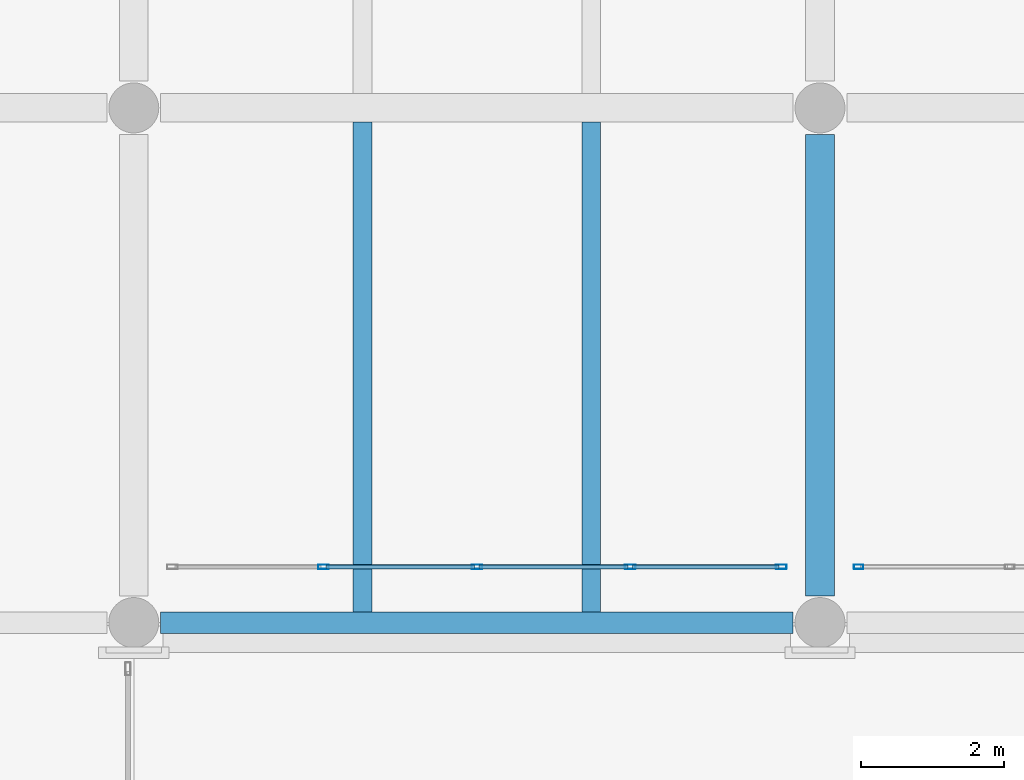
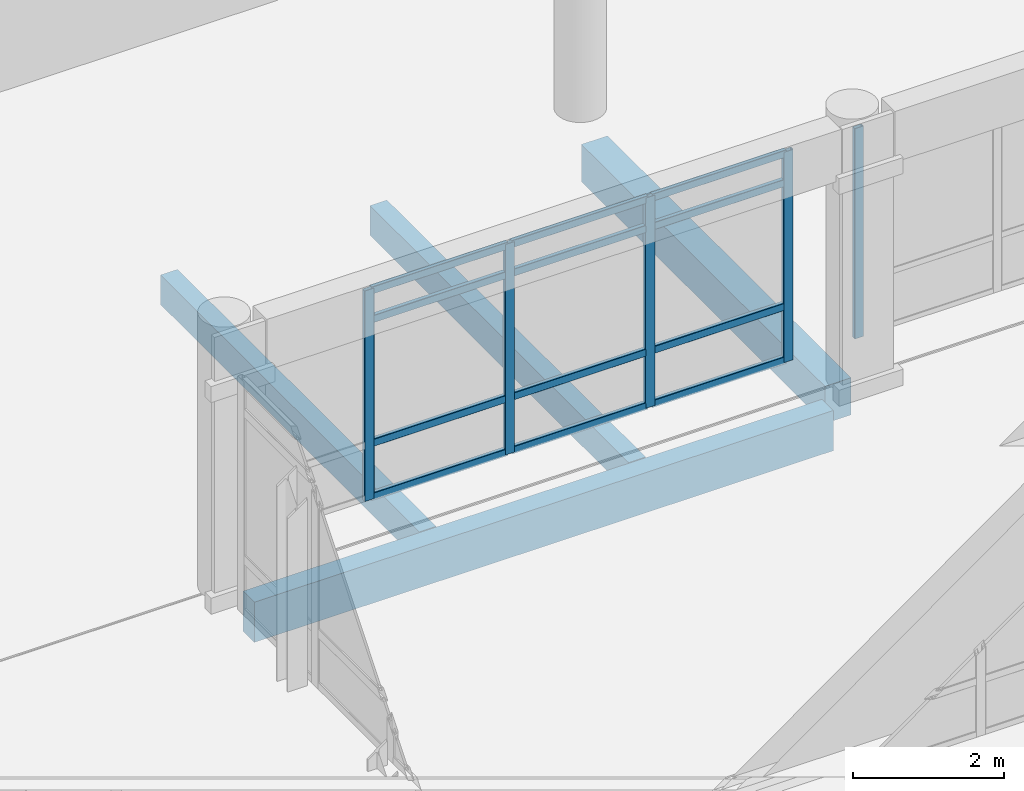
# One storey, part 57 of 196: 17 members, 4 beams, 2 elements without a shape of their own.
"""IFC4 building model written with IfcOpenShell, lengths in metres."""

from ifc_helpers import new_model, si_unit, direction, frame, origin, origin_2d, place, context, subcontext, project, spatial, rectangle, hollow_rectangle, extrude, material, layer, layer_set, material_profile, profile_set, type_object, element, aggregate, save


model = new_model("IFC4")

# Units and contexts
model_context = context("Model", 3, precision=1e-05, world=origin(), true_north=direction((0.0, 1.0)))
body_context = subcontext(model_context, "Body", "Model", "MODEL_VIEW")
ifc_project = project(units=[si_unit("LENGTHUNIT", "METRE"), si_unit("AREAUNIT", "SQUARE_METRE"), si_unit("VOLUMEUNIT", "CUBIC_METRE"), si_unit("PLANEANGLEUNIT", "RADIAN"), si_unit("MASSUNIT", "GRAM", prefix="KILO")], contexts=[model_context])

# Site, building, storey
site_placement = place(None, origin())
site = spatial("IfcSite", under=ifc_project, at=site_placement, CompositionType="ELEMENT")
building_placement = place(site_placement, origin())
building = spatial("IfcBuilding", under=site, at=building_placement, Name="Asteropetra Specialist Clinic", CompositionType="ELEMENT")
storey_placement = place(building_placement, origin())
storey = spatial("IfcBuildingStorey", under=building, at=storey_placement, Name="L00", CompositionType="ELEMENT", Elevation=0.0)

# Beam
ifc_material_1 = material(Name="Concrete C35/45", Category="concrete")
ifc_material_profile_1 = material_profile(ifc_material_1, rectangle(XDim=0.39990234375, YDim=0.60009765625, at=origin_2d()), Name="RCB 400x600")
ifc_profile_set_1 = profile_set([ifc_material_profile_1], Name="Concrete C35/45")
beam_type_1 = type_object("IfcBeamType", Name="BM-RC400x600", PredefinedType="BEAM", material=ifc_profile_set_1)
beam_1_placement = place(storey_placement, frame((38.39990234375, 33.97509765625, -0.60009765625), z_axis=(0.0, 1.0, 0.0), x_axis=(-1.0, 0.0, 0.0)))
element("IfcBeam", 1, at=beam_1_placement, inside=storey, type_object=beam_type_1, Name="Beam BBM08-0162", PredefinedType="BEAM", context=body_context, shape_type="SweptSolid", body=[
    extrude(rectangle(XDim=0.39990234375, YDim=0.60009765625, at=origin_2d()), origin(), (0.0, 0.0, 1.0), 6.449951171875),
])

# Curtain wall, member
ifc_material_2 = material(Name="Aluminium and low-E glass", Category="aluminium")
ifc_layer_1 = layer(ifc_material_2, 0.14990234375)
ifc_layer_set_1 = layer_set([ifc_layer_1], Name="Aluminium and low-E glass")
curtain_wall_type_1 = type_object("IfcCurtainWallType", Name="CW-SYS-11", PredefinedType="USERDEFINED", material=ifc_layer_set_1)
curtain_wall_1_placement = place(storey_placement, origin())
curtain_wall_1 = element("IfcCurtainWall", 2, at=curtain_wall_1_placement, inside=storey, type_object=curtain_wall_type_1, Name="Curtain Wall CW-149", ObjectType="STICK GLAZED COLONNADE", PredefinedType="USERDEFINED")
ifc_material_3 = material(Name="Aluminium 6063-T6", Category="aluminium")
ifc_material_profile_2 = material_profile(ifc_material_3, hollow_rectangle(XDim=0.06005859375, YDim=0.135009765625, WallThickness=0.00341796875, InnerFilletRadius=0.00341796875, OuterFilletRadius=0.007080078125, at=origin_2d()), Name="MUL 135x60x3.5")
ifc_profile_set_2 = profile_set([ifc_material_profile_2], Name="Aluminium 6063-T6")
member_type_1 = type_object("IfcMemberType", Name="CWM-135x60", PredefinedType="MULLION", material=ifc_profile_set_2)
member_1_placement = place(storey_placement, frame((38.93994140625, 34.3798828125, 0.0), z_axis=(0.0, 0.0, 1.0), x_axis=(0.0, 1.0, 0.0)))
member_1 = element("IfcMember", 3, at=member_1_placement, type_object=member_type_1, Name="CW-149 mullion 1", PredefinedType="MULLION", context=body_context, shape_type="SweptSolid", body=[
    extrude(hollow_rectangle(XDim=0.06005859375, YDim=0.135009765625, WallThickness=0.00341796875, InnerFilletRadius=0.00341796875, OuterFilletRadius=0.007080078125, at=origin_2d()), origin(), (0.0, 0.0, 1.0), 3.39990234375),
])
aggregate(curtain_wall_1, [member_1])

# Curtain wall, members
ifc_material_4 = material(Name="Aluminium and low-E glass", Category="aluminium")
ifc_layer_2 = layer(ifc_material_4, 0.135009765625)
ifc_layer_set_2 = layer_set([ifc_layer_2], Name="Aluminium and low-E glass")
curtain_wall_type_2 = type_object("IfcCurtainWallType", Name="CW-SYS-09", PredefinedType="USERDEFINED", material=ifc_layer_set_2)
curtain_wall_2_placement = place(storey_placement, origin())
curtain_wall_2 = element("IfcCurtainWall", 4, at=curtain_wall_2_placement, inside=storey, type_object=curtain_wall_type_2, Name="Curtain Wall CW-148", ObjectType="STICK GLAZED COLONNADE", PredefinedType="USERDEFINED")
ifc_material_5 = material(Name="Aluminium 6063-T6", Category="aluminium")
ifc_material_profile_3 = material_profile(ifc_material_5, hollow_rectangle(XDim=0.06494140625, YDim=0.14990234375, WallThickness=0.00390625, InnerFilletRadius=0.00390625, OuterFilletRadius=0.008056640625, at=origin_2d()), Name="MUL 150x65x4.0")
ifc_profile_set_3 = profile_set([ifc_material_profile_3], Name="Aluminium 6063-T6")
member_type_2 = type_object("IfcMemberType", Name="CWM-150x65", PredefinedType="MULLION", material=ifc_profile_set_3)
member_2_placement = place(storey_placement, frame((31.455078125, 34.3798828125, 0.0), z_axis=(0.0, 0.0, 1.0), x_axis=(0.0, 1.0, 0.0)))
member_2 = element("IfcMember", 5, at=member_2_placement, type_object=member_type_2, Name="CW-148 mullion 2", PredefinedType="MULLION", context=body_context, shape_type="SweptSolid", body=[
    extrude(hollow_rectangle(XDim=0.06494140625, YDim=0.14990234375, WallThickness=0.00390625, InnerFilletRadius=0.00390625, OuterFilletRadius=0.008056640625, at=origin_2d()), origin(), (0.0, 0.0, 1.0), 3.39990234375),
])
member_3_placement = place(storey_placement, frame((33.60009765625, 34.3798828125, 0.0), z_axis=(0.0, 0.0, 1.0), x_axis=(0.0, 1.0, 0.0)))
member_3 = element("IfcMember", 6, at=member_3_placement, type_object=member_type_2, Name="CW-148 mullion 3", PredefinedType="MULLION", context=body_context, shape_type="SweptSolid", body=[
    extrude(hollow_rectangle(XDim=0.06494140625, YDim=0.14990234375, WallThickness=0.00390625, InnerFilletRadius=0.00390625, OuterFilletRadius=0.008056640625, at=origin_2d()), origin(), (0.0, 0.0, 1.0), 3.39990234375),
])
member_4_placement = place(storey_placement, frame((35.7451171875, 34.3798828125, 0.0), z_axis=(0.0, 0.0, 1.0), x_axis=(0.0, 1.0, 0.0)))
member_4 = element("IfcMember", 7, at=member_4_placement, type_object=member_type_2, Name="CW-148 mullion 4", PredefinedType="MULLION", context=body_context, shape_type="SweptSolid", body=[
    extrude(hollow_rectangle(XDim=0.06494140625, YDim=0.14990234375, WallThickness=0.00390625, InnerFilletRadius=0.00390625, OuterFilletRadius=0.008056640625, at=origin_2d()), origin(), (0.0, 0.0, 1.0), 3.39990234375),
])
member_5_placement = place(storey_placement, frame((37.857421875, 34.3798828125, 0.0), z_axis=(0.0, 0.0, 1.0), x_axis=(0.0, 1.0, 0.0)))
member_5 = element("IfcMember", 8, at=member_5_placement, type_object=member_type_2, Name="CW-148 mullion 5", PredefinedType="MULLION", context=body_context, shape_type="SweptSolid", body=[
    extrude(hollow_rectangle(XDim=0.06494140625, YDim=0.14990234375, WallThickness=0.00390625, InnerFilletRadius=0.00390625, OuterFilletRadius=0.008056640625, at=origin_2d()), origin(), (0.0, 0.0, 1.0), 3.39990234375),
])
ifc_material_6 = material(Name="Aluminium 6063-T6", Category="aluminium")
ifc_material_profile_4 = material_profile(ifc_material_6, hollow_rectangle(XDim=0.06494140625, YDim=0.1201171875, WallThickness=0.00390625, InnerFilletRadius=0.00390625, OuterFilletRadius=0.008056640625, at=origin_2d()), Name="TRN 120x65x4.0")
ifc_profile_set_4 = profile_set([ifc_material_profile_4], Name="Aluminium 6063-T6")
member_type_3 = type_object("IfcMemberType", Name="CWT-120x65", PredefinedType="USERDEFINED", material=ifc_profile_set_4)
member_6_placement = place(storey_placement, frame((31.487548828125, 34.3798828125, 0.032470703125), z_axis=(1.0, 0.0, 0.0), x_axis=(0.0, 1.0, 0.0)))
member_6 = element("IfcMember", 9, at=member_6_placement, type_object=member_type_3, Name="CW-148 transom 2.1", ObjectType="TRANSOM", PredefinedType="USERDEFINED", context=body_context, shape_type="SweptSolid", body=[
    extrude(hollow_rectangle(XDim=0.06494140625, YDim=0.1201171875, WallThickness=0.00390625, InnerFilletRadius=0.00390625, OuterFilletRadius=0.008056640625, at=origin_2d()), origin(), (0.0, 0.0, 1.0), 2.079833984375),
])
member_7_placement = place(storey_placement, frame((31.487548828125, 34.3798828125, 0.89990234375), z_axis=(1.0, 0.0, 0.0), x_axis=(0.0, 1.0, 0.0)))
member_7 = element("IfcMember", 10, at=member_7_placement, type_object=member_type_3, Name="CW-148 transom 2.2", ObjectType="TRANSOM", PredefinedType="USERDEFINED", context=body_context, shape_type="SweptSolid", body=[
    extrude(hollow_rectangle(XDim=0.06494140625, YDim=0.1201171875, WallThickness=0.00390625, InnerFilletRadius=0.00390625, OuterFilletRadius=0.008056640625, at=origin_2d()), origin(), (0.0, 0.0, 1.0), 2.079833984375),
])
member_8_placement = place(storey_placement, frame((31.487548828125, 34.3798828125, 2.89990234375), z_axis=(1.0, 0.0, 0.0), x_axis=(0.0, 1.0, 0.0)))
member_8 = element("IfcMember", 11, at=member_8_placement, type_object=member_type_3, Name="CW-148 transom 2.3", ObjectType="TRANSOM", PredefinedType="USERDEFINED", context=body_context, shape_type="SweptSolid", body=[
    extrude(hollow_rectangle(XDim=0.06494140625, YDim=0.1201171875, WallThickness=0.00390625, InnerFilletRadius=0.00390625, OuterFilletRadius=0.008056640625, at=origin_2d()), origin(), (0.0, 0.0, 1.0), 2.079833984375),
])
member_9_placement = place(storey_placement, frame((31.487548828125, 34.3798828125, 3.367431640625), z_axis=(1.0, 0.0, 0.0), x_axis=(0.0, 1.0, 0.0)))
member_9 = element("IfcMember", 12, at=member_9_placement, type_object=member_type_3, Name="CW-148 transom 2.4", ObjectType="TRANSOM", PredefinedType="USERDEFINED", context=body_context, shape_type="SweptSolid", body=[
    extrude(hollow_rectangle(XDim=0.06494140625, YDim=0.1201171875, WallThickness=0.00390625, InnerFilletRadius=0.00390625, OuterFilletRadius=0.008056640625, at=origin_2d()), origin(), (0.0, 0.0, 1.0), 2.079833984375),
])
member_10_placement = place(storey_placement, frame((33.632568359375, 34.3798828125, 0.032470703125), z_axis=(1.0, 0.0, 0.0), x_axis=(0.0, 1.0, 0.0)))
member_10 = element("IfcMember", 13, at=member_10_placement, type_object=member_type_3, Name="CW-148 transom 3.1", ObjectType="TRANSOM", PredefinedType="USERDEFINED", context=body_context, shape_type="SweptSolid", body=[
    extrude(hollow_rectangle(XDim=0.06494140625, YDim=0.1201171875, WallThickness=0.00390625, InnerFilletRadius=0.00390625, OuterFilletRadius=0.008056640625, at=origin_2d()), origin(), (0.0, 0.0, 1.0), 2.079833984375),
])
member_11_placement = place(storey_placement, frame((33.632568359375, 34.3798828125, 0.89990234375), z_axis=(1.0, 0.0, 0.0), x_axis=(0.0, 1.0, 0.0)))
member_11 = element("IfcMember", 14, at=member_11_placement, type_object=member_type_3, Name="CW-148 transom 3.2", ObjectType="TRANSOM", PredefinedType="USERDEFINED", context=body_context, shape_type="SweptSolid", body=[
    extrude(hollow_rectangle(XDim=0.06494140625, YDim=0.1201171875, WallThickness=0.00390625, InnerFilletRadius=0.00390625, OuterFilletRadius=0.008056640625, at=origin_2d()), origin(), (0.0, 0.0, 1.0), 2.079833984375),
])
member_12_placement = place(storey_placement, frame((33.632568359375, 34.3798828125, 2.89990234375), z_axis=(1.0, 0.0, 0.0), x_axis=(0.0, 1.0, 0.0)))
member_12 = element("IfcMember", 15, at=member_12_placement, type_object=member_type_3, Name="CW-148 transom 3.3", ObjectType="TRANSOM", PredefinedType="USERDEFINED", context=body_context, shape_type="SweptSolid", body=[
    extrude(hollow_rectangle(XDim=0.06494140625, YDim=0.1201171875, WallThickness=0.00390625, InnerFilletRadius=0.00390625, OuterFilletRadius=0.008056640625, at=origin_2d()), origin(), (0.0, 0.0, 1.0), 2.079833984375),
])
member_13_placement = place(storey_placement, frame((33.632568359375, 34.3798828125, 3.367431640625), z_axis=(1.0, 0.0, 0.0), x_axis=(0.0, 1.0, 0.0)))
member_13 = element("IfcMember", 16, at=member_13_placement, type_object=member_type_3, Name="CW-148 transom 3.4", ObjectType="TRANSOM", PredefinedType="USERDEFINED", context=body_context, shape_type="SweptSolid", body=[
    extrude(hollow_rectangle(XDim=0.06494140625, YDim=0.1201171875, WallThickness=0.00390625, InnerFilletRadius=0.00390625, OuterFilletRadius=0.008056640625, at=origin_2d()), origin(), (0.0, 0.0, 1.0), 2.079833984375),
])
member_14_placement = place(storey_placement, frame((35.777587890625, 34.3798828125, 0.032470703125), z_axis=(1.0, 0.0, 0.0), x_axis=(0.0, 1.0, 0.0)))
member_14 = element("IfcMember", 17, at=member_14_placement, type_object=member_type_3, Name="CW-148 transom 4.1", ObjectType="TRANSOM", PredefinedType="USERDEFINED", context=body_context, shape_type="SweptSolid", body=[
    extrude(hollow_rectangle(XDim=0.06494140625, YDim=0.1201171875, WallThickness=0.00390625, InnerFilletRadius=0.00390625, OuterFilletRadius=0.008056640625, at=origin_2d()), origin(), (0.0, 0.0, 1.0), 2.04736328125),
])
member_15_placement = place(storey_placement, frame((35.777587890625, 34.3798828125, 0.89990234375), z_axis=(1.0, 0.0, 0.0), x_axis=(0.0, 1.0, 0.0)))
member_15 = element("IfcMember", 18, at=member_15_placement, type_object=member_type_3, Name="CW-148 transom 4.2", ObjectType="TRANSOM", PredefinedType="USERDEFINED", context=body_context, shape_type="SweptSolid", body=[
    extrude(hollow_rectangle(XDim=0.06494140625, YDim=0.1201171875, WallThickness=0.00390625, InnerFilletRadius=0.00390625, OuterFilletRadius=0.008056640625, at=origin_2d()), origin(), (0.0, 0.0, 1.0), 2.04736328125),
])
member_16_placement = place(storey_placement, frame((35.777587890625, 34.3798828125, 2.89990234375), z_axis=(1.0, 0.0, 0.0), x_axis=(0.0, 1.0, 0.0)))
member_16 = element("IfcMember", 19, at=member_16_placement, type_object=member_type_3, Name="CW-148 transom 4.3", ObjectType="TRANSOM", PredefinedType="USERDEFINED", context=body_context, shape_type="SweptSolid", body=[
    extrude(hollow_rectangle(XDim=0.06494140625, YDim=0.1201171875, WallThickness=0.00390625, InnerFilletRadius=0.00390625, OuterFilletRadius=0.008056640625, at=origin_2d()), origin(), (0.0, 0.0, 1.0), 2.04736328125),
])
member_17_placement = place(storey_placement, frame((35.777587890625, 34.3798828125, 3.367431640625), z_axis=(1.0, 0.0, 0.0), x_axis=(0.0, 1.0, 0.0)))
member_17 = element("IfcMember", 20, at=member_17_placement, type_object=member_type_3, Name="CW-148 transom 4.4", ObjectType="TRANSOM", PredefinedType="USERDEFINED", context=body_context, shape_type="SweptSolid", body=[
    extrude(hollow_rectangle(XDim=0.06494140625, YDim=0.1201171875, WallThickness=0.00390625, InnerFilletRadius=0.00390625, OuterFilletRadius=0.008056640625, at=origin_2d()), origin(), (0.0, 0.0, 1.0), 2.04736328125),
])
aggregate(curtain_wall_2, [member_2, member_3, member_4, member_5, member_6, member_7, member_8, member_9, member_10, member_11, member_12, member_13, member_14, member_15, member_16, member_17])

# Beams
ifc_material_7 = material(Name="Concrete C35/45", Category="concrete")
ifc_material_profile_5 = material_profile(ifc_material_7, rectangle(XDim=0.260009765625, YDim=0.47998046875, at=origin_2d()), Name="RCJ 260x480")
ifc_profile_set_5 = profile_set([ifc_material_profile_5], Name="Concrete C35/45")
beam_type_2 = type_object("IfcBeamType", Name="JST-RC260x480", PredefinedType="JOIST", material=ifc_profile_set_5)
for number, where, z_axis, x_axis, name in (
    (21, (32.0, 33.75, -0.5400390625), (0.0, 1.0, 0.0), (-1.0, 0.0, 0.0), "Joist JJST02-0168"),
    (22, (35.199951171875, 33.75, -0.5400390625), (0.0, 1.0, 0.0), (-1.0, 0.0, 0.0), "Joist JJST02-0169"),
):
    element("IfcBeam", number, at=place(storey_placement, frame(where, z_axis=z_axis, x_axis=x_axis)), inside=storey, type_object=beam_type_2, Name=name, PredefinedType="JOIST", context=body_context, shape_type="SweptSolid", body=[
        extrude(rectangle(XDim=0.260009765625, YDim=0.47998046875, at=origin_2d()), origin(), (0.0, 0.0, 1.0), 6.85009765625),
    ])
ifc_material_8 = material(Name="Concrete C35/45", Category="concrete")
ifc_material_profile_6 = material_profile(ifc_material_8, rectangle(XDim=0.300048828125, YDim=0.64990234375, at=origin_2d()), Name="RCS 300x650")
ifc_profile_set_6 = profile_set([ifc_material_profile_6], Name="Concrete C35/45")
beam_type_3 = type_object("IfcBeamType", Name="SPN-RC300x650", PredefinedType="SPANDREL", material=ifc_profile_set_6)
beam_2_placement = place(storey_placement, frame((29.175048828125, 33.60009765625, -0.635009765625), z_axis=(1.0, 0.0, 0.0), x_axis=(0.0, 1.0, 0.0)))
element("IfcBeam", 23, at=beam_2_placement, inside=storey, type_object=beam_type_3, Name="Beam BSPN03-0136", PredefinedType="SPANDREL", context=body_context, shape_type="SweptSolid", body=[
    extrude(rectangle(XDim=0.300048828125, YDim=0.64990234375, at=origin_2d()), origin(), (0.0, 0.0, 1.0), 8.849853515625),
])

save(model, "model.ifc")
